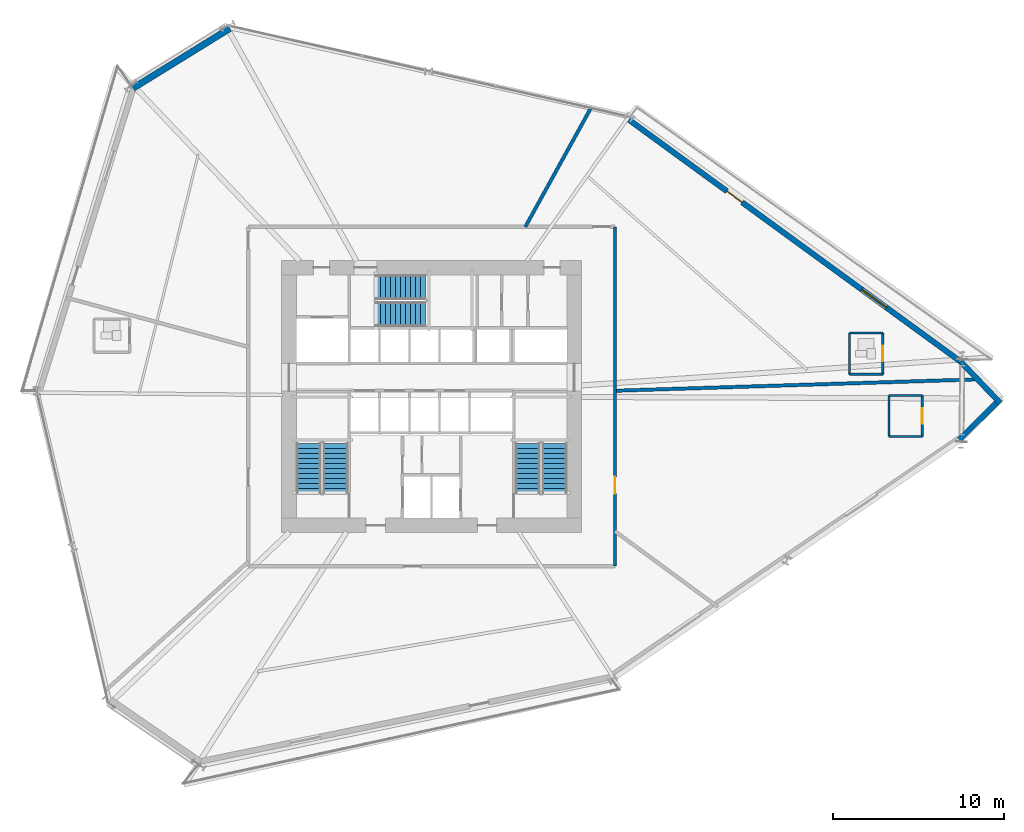
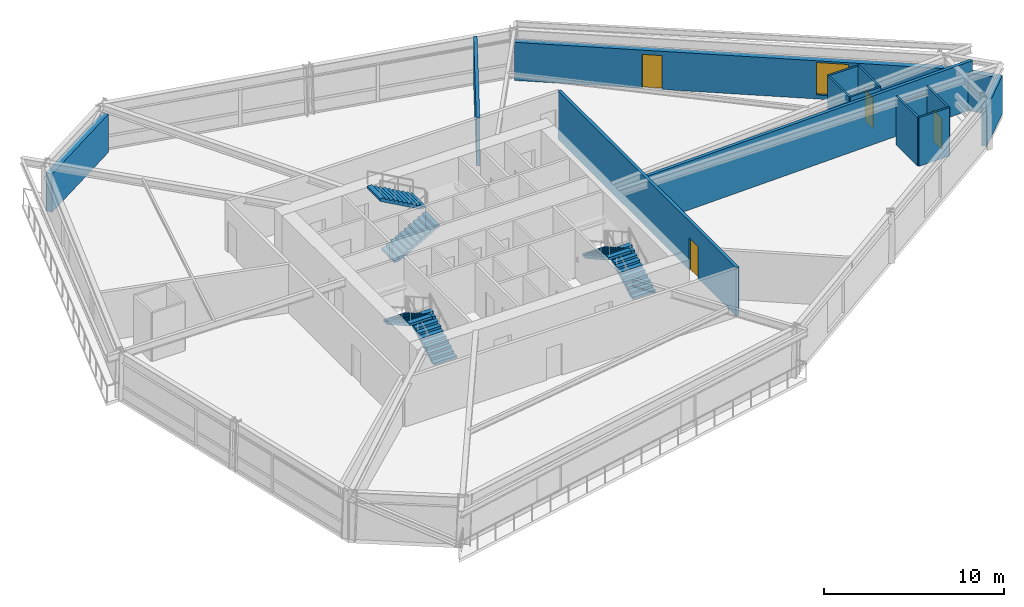
# One storey, part 18 of 23: 15 walls, 6 stair flights, 4 doors, 1 window, 5 openings, 3 elements without a shape of their own.
"""IFC4 building model written with IfcOpenShell, lengths in metres."""

import ifcopenshell
import ifcopenshell.guid

model = None  # the IFC model being written
_history = None  # IfcOwnerHistory: only IFC2X3 demands one
_inside = {}  # id of a spatial element -> (the spatial element, [elements in it])
_under = {}  # id of a project, library or spatial element -> (it, [spatial elements below it])
_declared = {}  # id of a project -> (the project, [libraries it declares])
_typed = {}  # id of a type object -> (the type object, [elements of that type])
_made_of = {}  # id of a material, layer set ... -> (it, [elements and type objects made of it])


def new_model(schema):
    """Start an empty IFC model of exactly this schema.

    Asked for "IFC4X3", IfcOpenShell would pick the latest addendum, in which some entities
    have other attributes; the version numbers below select the first issue.
    IFC2X3 requires an IfcOwnerHistory on every rooted entity: one is made here for all.
    """
    global model, _history
    if schema == "IFC4X3":
        model = ifcopenshell.file(schema_version=(4, 3, 0, 0))
    else:
        model = ifcopenshell.file(schema=schema)
    _inside.clear()
    _under.clear()
    _declared.clear()
    _typed.clear()
    _made_of.clear()
    _history = None
    if model.schema == "IFC2X3":
        org = make("IfcOrganization", Name="unknown")
        user = make(
            "IfcPersonAndOrganization",
            ThePerson=make("IfcPerson", FamilyName="unknown"),
            TheOrganization=org,
        )
        app = make(
            "IfcApplication",
            ApplicationDeveloper=org,
            Version="unknown",
            ApplicationFullName="unknown",
            ApplicationIdentifier="unknown",
        )
        _history = make(
            "IfcOwnerHistory",
            OwningUser=user,
            OwningApplication=app,
            ChangeAction="ADDED",
            CreationDate=0,
        )
    return model


def make(cls, **values):
    """One entity of the class cls with the attributes given. An attribute that is None is left unset."""
    return model.create_entity(
        cls, **{name: value for name, value in values.items() if value is not None}
    )


def rooted(cls, **values):
    """An entity with a GlobalId (a new one), such as an element, a storey or a relation."""
    return make(cls, GlobalId=ifcopenshell.guid.new(), OwnerHistory=_history, **values)


def si_unit(unit_type, name, prefix=None):
    """IfcSIUnit, for example si_unit("LENGTHUNIT", "METRE", prefix="MILLI")."""
    return make("IfcSIUnit", UnitType=unit_type, Prefix=prefix, Name=name)


def assignment(units):
    """IfcUnitAssignment: the units of a project."""
    return None if units is None else make("IfcUnitAssignment", Units=units)


def point(xyz):
    """IfcCartesianPoint."""
    return None if xyz is None else make("IfcCartesianPoint", Coordinates=xyz)


def direction(xyz):
    """IfcDirection."""
    return None if xyz is None else make("IfcDirection", DirectionRatios=xyz)


def frame(location, z_axis=None, x_axis=None):
    """IfcAxis2Placement3D, a coordinate frame: its origin and axes. An axis left out is left unset."""
    return make(
        "IfcAxis2Placement3D",
        Location=point(location),
        Axis=direction(z_axis),
        RefDirection=direction(x_axis),
    )


def frame_2d(location, x_axis=None):
    """IfcAxis2Placement2D, a coordinate frame in the plane: its origin and x axis."""
    return make(
        "IfcAxis2Placement2D", Location=point(location), RefDirection=direction(x_axis)
    )


def origin():
    """The frame at (0, 0, 0) with its axes left unset."""
    return frame((0.0, 0.0, 0.0))


def place(relative_to, where):
    """IfcLocalPlacement: puts the frame where relative to a parent placement (None: the world)."""
    return make(
        "IfcLocalPlacement", PlacementRelTo=relative_to, RelativePlacement=where
    )


def context(
    kind, dimensions, precision=None, world=None, true_north=None, identifier=None
):
    """IfcGeometricRepresentationContext, for example the 3D "Model" context."""
    return make(
        "IfcGeometricRepresentationContext",
        ContextIdentifier=identifier,
        ContextType=kind,
        CoordinateSpaceDimension=dimensions,
        Precision=precision,
        WorldCoordinateSystem=world,
        TrueNorth=true_north,
    )


def subcontext(parent, identifier, kind, view, scale=None):
    """IfcGeometricRepresentationSubContext, for example "Body" below "Model"."""
    return make(
        "IfcGeometricRepresentationSubContext",
        ContextIdentifier=identifier,
        ContextType=kind,
        ParentContext=parent,
        TargetScale=scale,
        TargetView=view,
    )


def project(units=None, contexts=None):
    """IfcProject with its units and contexts."""
    return rooted(
        "IfcProject",
        Name="project",
        RepresentationContexts=contexts,
        UnitsInContext=assignment(units),
    )


def spatial(cls, under=None, at=None, **own):
    """A site, building, storey or space (cls), placed at a placement, below another one or the project."""
    s = rooted(cls, ObjectPlacement=at, **own)
    if under is not None:
        _under.setdefault(under.id(), (under, []))[1].append(s)
    return s


def polyline(points):
    """IfcPolyline through the points."""
    return make("IfcPolyline", Points=[point(p) for p in points])


def profile(cls, at=None, kind="AREA", **sizes):
    """A parametric profile (cls). Its sizes go by their IFC names, for example OverallWidth=200.0."""
    return make(cls, ProfileType=kind, Position=at, **sizes)


def rectangle(**sizes):
    """IfcRectangleProfileDef."""
    return profile("IfcRectangleProfileDef", **sizes)


def outline(outer, holes=None, kind="AREA"):
    """IfcArbitraryClosedProfileDef: a profile drawn as a closed curve; with holes, ...WithVoids."""
    if holes is None:
        return make("IfcArbitraryClosedProfileDef", ProfileType=kind, OuterCurve=outer)
    return make(
        "IfcArbitraryProfileDefWithVoids",
        ProfileType=kind,
        OuterCurve=outer,
        InnerCurves=holes,
    )


def extrude(swept, where, along, depth):
    """IfcExtrudedAreaSolid: the profile swept, set in the frame where, extruded along a direction by depth."""
    return make(
        "IfcExtrudedAreaSolid",
        SweptArea=swept,
        Position=where,
        ExtrudedDirection=direction(along),
        Depth=depth,
    )


def shape(context_of_items, identifier, shape_type, items):
    """IfcShapeRepresentation: the items that make up one representation, for example the "Body"."""
    return make(
        "IfcShapeRepresentation",
        ContextOfItems=context_of_items,
        RepresentationIdentifier=identifier,
        RepresentationType=shape_type,
        Items=items,
    )


def source(mapping_origin, context_of_items, identifier, shape_type, items):
    """IfcRepresentationMap: a shape defined once, which mapped items show again and again."""
    return make(
        "IfcRepresentationMap",
        MappingOrigin=mapping_origin,
        MappedRepresentation=shape(context_of_items, identifier, shape_type, items),
    )


def transform(
    local_origin,
    x_axis=None,
    y_axis=None,
    z_axis=None,
    scale=None,
    scale2=None,
    scale3=None,
    uniform=True,
):
    """IfcCartesianTransformationOperator3D, or its non-uniform kind. x_axis, y_axis, z_axis: its Axis1, 2, 3."""
    if uniform:
        return make(
            "IfcCartesianTransformationOperator3D",
            Axis1=direction(x_axis),
            Axis2=direction(y_axis),
            LocalOrigin=point(local_origin),
            Scale=scale,
            Axis3=direction(z_axis),
        )
    return make(
        "IfcCartesianTransformationOperator3DnonUniform",
        Axis1=direction(x_axis),
        Axis2=direction(y_axis),
        LocalOrigin=point(local_origin),
        Scale=scale,
        Axis3=direction(z_axis),
        Scale2=scale2,
        Scale3=scale3,
    )


def mapped(mapping_source, mapping_target):
    """IfcMappedItem: shows the shape of a source again, moved by a transform."""
    return make(
        "IfcMappedItem", MappingSource=mapping_source, MappingTarget=mapping_target
    )


def material(Name=None, Category=None):
    """IfcMaterial."""
    return make("IfcMaterial", Name=Name, Category=Category)


def layer(
    of_material, thickness, ventilated=None, Name=None, Category=None, Priority=None
):
    """IfcMaterialLayer: one layer of a wall or slab, of a material (None: an air gap)."""
    return make(
        "IfcMaterialLayer",
        Material=of_material,
        LayerThickness=thickness,
        IsVentilated=ventilated,
        Name=Name,
        Category=Category,
        Priority=Priority,
    )


def layer_set(layers, Name=None):
    """IfcMaterialLayerSet."""
    return make("IfcMaterialLayerSet", MaterialLayers=layers, LayerSetName=Name)


def made_of(thing, what):
    """Note that an element or type object is made of a material, layer set ...; save() writes the relation."""
    if what is not None:
        _made_of.setdefault(what.id(), (what, []))[1].append(thing)
    return thing


def type_object(cls, material=None, **own):
    """A type object (cls), such as IfcWallType, which elements share."""
    return made_of(rooted(cls, **own), material)


def type_shapes(of_type, sources):
    """Give a type object the sources (RepresentationMaps) that its elements show as mapped items."""
    of_type.RepresentationMaps = sources


def element(
    cls,
    number,
    at=None,
    inside=None,
    cuts=None,
    type_object=None,
    material=None,
    context=None,
    identifier="Body",
    shape_type=None,
    held_by="IfcProductDefinitionShape",
    body=None,
    shapes=None,
    **own,
):
    """One element of the class cls, such as IfcWall. Its Tag is "e" and its number.

    at: its placement. inside: the storey or other place that contains it. cuts: it is an
    opening in that element (IfcRelVoidsElement). A single representation is given by context,
    identifier, shape_type and body (its items); several are given by shapes. held_by: the class
    of the entity that holds the representations. save() writes the other relations.
    """
    e = rooted(cls, Tag="e%d" % number, ObjectPlacement=at, **own)
    if body is not None:
        shapes = [shape(context, identifier, shape_type, body)]
    if shapes is not None:
        e.Representation = make(held_by, Representations=shapes)
    if inside is not None:
        _inside.setdefault(inside.id(), (inside, []))[1].append(e)
    if cuts is not None:
        rooted(
            "IfcRelVoidsElement", RelatingBuildingElement=cuts, RelatedOpeningElement=e
        )
    if type_object is not None:
        _typed.setdefault(type_object.id(), (type_object, []))[1].append(e)
    return made_of(e, material)


def fill(opening, filler):
    """IfcRelFillsElement: the door or window that sits in an opening."""
    return rooted(
        "IfcRelFillsElement",
        RelatingOpeningElement=opening,
        RelatedBuildingElement=filler,
    )


def aggregate(whole, parts):
    """IfcRelAggregates: a whole, such as a stair, and the parts it consists of."""
    return rooted("IfcRelAggregates", RelatingObject=whole, RelatedObjects=parts)


def save(model, path):
    """Write the relations noted so far, then the file.

    IfcRelAggregates (storeys below a building ...), IfcRelContainedInSpatialStructure (elements
    in a storey), IfcRelDefinesByType, IfcRelAssociatesMaterial and IfcRelDeclares: one each for
    every whole, place, type object, material and project.
    """
    for whole, parts in _under.values():
        aggregate(whole, parts)
    for where, things in _inside.values():
        rooted(
            "IfcRelContainedInSpatialStructure",
            RelatedElements=things,
            RelatingStructure=where,
        )
    for kind, things in _typed.values():
        rooted("IfcRelDefinesByType", RelatedObjects=things, RelatingType=kind)
    for what, things in _made_of.values():
        rooted("IfcRelAssociatesMaterial", RelatedObjects=things, RelatingMaterial=what)
    for by, libraries in _declared.values():
        rooted("IfcRelDeclares", RelatingContext=by, RelatedDefinitions=libraries)
    model.write(path)


model = new_model("IFC4")

# Units and contexts
model_context = context("Model", 3, precision=1e-05, world=origin(), true_north=direction((0.0, 1.0)))
body_context = subcontext(model_context, "Body", "Model", "MODEL_VIEW")
ifc_project = project(units=[si_unit("LENGTHUNIT", "METRE"), si_unit("AREAUNIT", "SQUARE_METRE"), si_unit("VOLUMEUNIT", "CUBIC_METRE"), si_unit("PLANEANGLEUNIT", "RADIAN"), si_unit("MASSUNIT", "GRAM", prefix="KILO")], contexts=[model_context])

# Site, building, storey
site_placement = place(None, origin())
site = spatial("IfcSite", under=ifc_project, at=site_placement, CompositionType="ELEMENT")
building_placement = place(site_placement, origin())
building = spatial("IfcBuilding", under=site, at=building_placement, Name="Olszyna Solenne Hotel", CompositionType="ELEMENT")
storey_placement = place(building_placement, frame((0.0, 0.0, 32.85009765625)))
storey = spatial("IfcBuildingStorey", under=building, at=storey_placement, Name="L07", CompositionType="ELEMENT", Elevation=32.85009765625)

# Wall, openings, door, window
ifc_material_1 = material(Name="Precast concrete C45/55", Category="concrete")
ifc_layer_1 = layer(ifc_material_1, 0.320068359375, Name="Precast concrete C45/55")
ifc_layer_set_1 = layer_set([ifc_layer_1], Name="Precast concrete C45/55")
wall_type_1 = type_object("IfcWallType", Name="WL-EX320", PredefinedType="SOLIDWALL", material=ifc_layer_set_1)
wall_1_placement = place(storey_placement, frame((49.46044921875, 42.78564453125, 0.0), z_axis=(0.0, 0.0, 1.0), x_axis=(0.808105654282, -0.589037563757, 0.0)))
wall_1 = element("IfcWall", 1, at=wall_1_placement, inside=storey, type_object=wall_type_1, Name="Exterior terracotta-precast frame wall WL-EX320 EW-L07-07", PredefinedType="SOLIDWALL", context=body_context, shape_type="SweptSolid", body=[
    extrude(rectangle(XDim=24.031982421875, YDim=0.320068359375, at=frame_2d((12.01611328125, 0.0))), origin(), (0.0, 0.0, 1.0), 2.591796875),
])
opening_1_placement = place(wall_1_placement, frame((7.139892578125, 0.0, 0.0)))
opening_1 = element("IfcOpeningElement", 2, at=opening_1_placement, cuts=wall_1, Name="Opening LDG-L07-1", PredefinedType="OPENING", context=body_context, shape_type="SweptSolid", body=[
    extrude(rectangle(XDim=1.10009765625, YDim=2.300048828125, at=frame_2d((0.550048828125, 1.14990234375))), frame((0.0, 0.169921875, 0.0), z_axis=(0.0, -1.0, 0.0), x_axis=(1.0, 0.0, 0.0)), (0.0, 0.0, 1.0), 0.340087890625),
])
opening_2_placement = place(wall_1_placement, frame((16.884033203125, 0.0, 0.27197265625)))
opening_2 = element("IfcOpeningElement", 3, at=opening_2_placement, cuts=wall_1, Name="Opening WN-L07-028", PredefinedType="OPENING", context=body_context, shape_type="SweptSolid", body=[
    extrude(rectangle(XDim=1.800048828125, YDim=2.199951171875, at=frame_2d((0.89990234375, 1.10009765625))), frame((0.0, 0.169921875, 0.0), z_axis=(0.0, -1.0, 0.0), x_axis=(1.0, 0.0, 0.0)), (0.0, 0.0, 1.0), 0.340087890625),
])
ifc_material_2 = material(Name="Anodised bronze aluminium", Category="aluminium")
door_type_1 = type_object("IfcDoorType", Name="DR-LG1", OperationType="NOTDEFINED", PredefinedType="DOOR", material=ifc_material_2)
shared_shape_1 = source(origin(), body_context, "Body", "SweptSolid", [
    extrude(rectangle(XDim=1.10009765625, YDim=2.300048828125, at=frame_2d((0.550048828125, 1.14990234375))), frame((0.0, 0.02490234375, 0.0), z_axis=(0.0, -1.0, 0.0), x_axis=(1.0, 0.0, 0.0)), (0.0, 0.0, 1.0), 0.050048828125),
])
type_shapes(door_type_1, [shared_shape_1])
door_1_placement = place(opening_1_placement, origin())
door_1 = element("IfcDoor", 4, at=door_1_placement, inside=storey, type_object=door_type_1, Name="Exterior loggia balcony door DR-LG1 LDG-L07-1", OperationType="SINGLE_SWING_LEFT", OverallHeight=2.300048828125, OverallWidth=1.10009765625, PredefinedType="DOOR", context=body_context, shape_type="MappedRepresentation", body=[
    mapped(shared_shape_1, transform((0.0, 0.0, 0.0), x_axis=(1.0, 0.0, 0.0), y_axis=(0.0, 1.0, 0.0), z_axis=(0.0, 0.0, 1.0), scale=1.0)),
])
fill(opening_1, door_1)
ifc_material_3 = material(Name="Low-E triple glazing", Category="glass")
window_type = type_object("IfcWindowType", Name="WN-HT1", PartitioningType="SINGLE_PANEL", PredefinedType="WINDOW", material=ifc_material_3)
shared_shape_2 = source(origin(), body_context, "Body", "SweptSolid", [
    extrude(rectangle(XDim=1.800048828125, YDim=2.199951171875, at=frame_2d((0.89990234375, 1.10009765625))), frame((0.0, 0.030029296875, 0.0), z_axis=(0.0, -1.0, 0.0), x_axis=(1.0, 0.0, 0.0)), (0.0, 0.0, 1.0), 0.06005859375),
])
type_shapes(window_type, [shared_shape_2])
window_placement = place(opening_2_placement, origin())
window = element("IfcWindow", 5, at=window_placement, inside=storey, type_object=window_type, Name="Loggia room window WN-HT1 WN-L07-028", OverallHeight=2.199951171875, OverallWidth=1.800048828125, PartitioningType="SINGLE_PANEL", PredefinedType="WINDOW", context=body_context, shape_type="MappedRepresentation", body=[
    mapped(shared_shape_2, transform((0.0, 0.0, 0.0), x_axis=(1.0, 0.0, 0.0), y_axis=(0.0, 1.0, 0.0), z_axis=(0.0, 0.0, 1.0), scale=1.0)),
])
fill(opening_2, window)

# Walls
for number, where, z_axis, x_axis, name in (
    (6, (68.859375, 28.648681640625, 0.0), (0.0, 0.0, 1.0), (0.691392879512, -0.722478986656, 0.0), "Exterior terracotta-precast frame wall WL-EX320 EW-L07-08"),
    (7, (71.180908203125, 26.4501953125, 0.0), (0.0, 0.0, 1.0), (-0.710012762049, -0.704188808295, 0.0), "Exterior terracotta-precast frame wall WL-EX320 EW-L07-09"),
):
    element("IfcWall", number, at=place(storey_placement, frame(where, z_axis=z_axis, x_axis=x_axis)), inside=storey, type_object=wall_type_1, Name=name, PredefinedType="SOLIDWALL", context=body_context, shape_type="SweptSolid", body=[
        extrude(rectangle(XDim=3.353515625, YDim=0.320068359375, at=frame_2d((1.6767578125, 0.0))), origin(), (0.0, 0.0, 1.0), 2.591796875),
    ])
ifc_material_4 = material(Name="Terracotta cladding on precast concrete C45/55", Category="masonry")
ifc_layer_2 = layer(ifc_material_4, 0.3798828125, Name="Terracotta cladding on precast concrete C45/55")
ifc_layer_set_2 = layer_set([ifc_layer_2], Name="Terracotta cladding on precast concrete C45/55")
wall_type_2 = type_object("IfcWallType", Name="WL-EX380", PredefinedType="SOLIDWALL", material=ifc_layer_set_2)
wall_2_placement = place(storey_placement, frame((20.578369140625, 44.594482421875, 0.0), z_axis=(0.0, 0.0, 1.0), x_axis=(0.850784925856, 0.525514043519, 0.0)))
element("IfcWall", 8, at=wall_2_placement, inside=storey, type_object=wall_type_2, Name="Exterior terracotta-precast frame wall WL-EX380 EW-L07-05", PredefinedType="SOLIDWALL", context=body_context, shape_type="SweptSolid", body=[
    extrude(rectangle(XDim=6.63134765625, YDim=0.3798828125, at=frame_2d((3.315673828125, 0.0))), origin(), (0.0, 0.0, 1.0), 2.591796875),
])

# Wall, opening, door
ifc_material_5 = material(Name="Acoustic gypsum partition", Category="gypsum")
ifc_layer_3 = layer(ifc_material_5, 0.125, Name="Acoustic gypsum partition")
ifc_layer_set_3 = layer_set([ifc_layer_3], Name="Acoustic gypsum partition")
wall_type_3 = type_object("IfcWallType", Name="WL-PT125", PredefinedType="PARTITIONING", material=ifc_layer_set_3)
wall_3_placement = place(storey_placement, frame((64.327880859375, 27.89892578125, 0.0), z_axis=(0.0, 0.0, 1.0), x_axis=(0.0, 1.0, 0.0)))
wall_3 = element("IfcWall", 9, at=wall_3_placement, inside=storey, type_object=wall_type_3, Name="Interior acoustic partition WL-PT125 PW-L07-0405", PredefinedType="PARTITIONING", context=body_context, shape_type="SweptSolid", body=[
    extrude(rectangle(XDim=2.400146484375, YDim=0.125, at=frame_2d((1.2001953125, 0.0))), origin(), (0.0, 0.0, 1.0), 3.2998046875),
])
opening_3_placement = place(wall_3_placement, frame((0.75, 0.0, 0.0)))
opening_3 = element("IfcOpeningElement", 10, at=opening_3_placement, cuts=wall_3, Name="Opening DR-L07-0088", PredefinedType="OPENING", context=body_context, shape_type="SweptSolid", body=[
    extrude(rectangle(XDim=0.89990234375, YDim=2.10009765625, at=frame_2d((0.449951171875, 1.050048828125))), frame((0.0, 0.072509765625, 0.0), z_axis=(0.0, -1.0, 0.0), x_axis=(1.0, 0.0, 0.0)), (0.0, 0.0, 1.0), 0.14501953125),
])
ifc_material_6 = material(Name="Timber hardwood", Category="wood")
door_type_2 = type_object("IfcDoorType", Name="DR-WC1", OperationType="NOTDEFINED", PredefinedType="DOOR", material=ifc_material_6)
shared_shape_3 = source(origin(), body_context, "Body", "SweptSolid", [
    extrude(rectangle(XDim=0.89990234375, YDim=2.10009765625, at=frame_2d((0.449951171875, 1.050048828125))), frame((0.0, 0.02490234375, 0.0), z_axis=(0.0, -1.0, 0.0), x_axis=(1.0, 0.0, 0.0)), (0.0, 0.0, 1.0), 0.050048828125),
])
type_shapes(door_type_2, [shared_shape_3])
door_2_placement = place(opening_3_placement, origin())
door_2 = element("IfcDoor", 11, at=door_2_placement, inside=storey, type_object=door_type_2, Name="En-Suite Bathroom Door DR-L07-0088", OperationType="SINGLE_SWING_RIGHT", OverallHeight=2.10009765625, OverallWidth=0.89990234375, PredefinedType="DOOR", context=body_context, shape_type="MappedRepresentation", body=[
    mapped(shared_shape_3, transform((0.0, 0.0, 0.0), x_axis=(1.0, 0.0, 0.0), y_axis=(0.0, 1.0, 0.0), z_axis=(0.0, 0.0, 1.0), scale=1.0)),
])
fill(opening_3, door_2)

# Walls
wall_4_placement = place(storey_placement, frame((64.327880859375, 30.299072265625, 0.0), z_axis=(0.0, 0.0, 1.0), x_axis=(-1.0, 0.0, 0.0)))
element("IfcWall", 12, at=wall_4_placement, inside=storey, type_object=wall_type_3, Name="Interior acoustic partition WL-PT125 PW-L07-0406", PredefinedType="PARTITIONING", context=body_context, shape_type="SweptSolid", body=[
    extrude(rectangle(XDim=1.949951171875, YDim=0.125, at=frame_2d((0.97509765625, 0.0))), origin(), (0.0, 0.0, 1.0), 3.2998046875),
])
wall_5_placement = place(storey_placement, frame((62.3779296875, 30.299072265625, 0.0), z_axis=(0.0, 0.0, 1.0), x_axis=(0.0, -1.0, 0.0)))
element("IfcWall", 13, at=wall_5_placement, inside=storey, type_object=wall_type_3, Name="Interior acoustic partition WL-PT125 PW-L07-0407", PredefinedType="PARTITIONING", context=body_context, shape_type="SweptSolid", body=[
    extrude(rectangle(XDim=2.400146484375, YDim=0.125, at=frame_2d((1.2001953125, 0.0))), origin(), (0.0, 0.0, 1.0), 3.2998046875),
])
wall_6_placement = place(storey_placement, frame((62.3779296875, 27.89892578125, 0.0), z_axis=(0.0, 0.0, 1.0), x_axis=(1.0, 0.0, 0.0)))
element("IfcWall", 14, at=wall_6_placement, inside=storey, type_object=wall_type_3, Name="Interior acoustic partition WL-PT125 PW-L07-0408", PredefinedType="PARTITIONING", context=body_context, shape_type="SweptSolid", body=[
    extrude(rectangle(XDim=1.949951171875, YDim=0.125, at=frame_2d((0.97509765625, 0.0))), origin(), (0.0, 0.0, 1.0), 3.2998046875),
])

# Wall, opening, door
wall_7_placement = place(storey_placement, frame((66.634033203125, 24.260986328125, 0.0), z_axis=(0.0, 0.0, 1.0), x_axis=(0.0, 1.0, 0.0)))
wall_7 = element("IfcWall", 15, at=wall_7_placement, inside=storey, type_object=wall_type_3, Name="Interior acoustic partition WL-PT125 PW-L07-0413", PredefinedType="PARTITIONING", context=body_context, shape_type="SweptSolid", body=[
    extrude(rectangle(XDim=2.39990234375, YDim=0.125, at=frame_2d((1.199951171875, 0.0))), origin(), (0.0, 0.0, 1.0), 3.2998046875),
])
opening_4_placement = place(wall_7_placement, frame((0.75, 0.0, 0.0)))
opening_4 = element("IfcOpeningElement", 16, at=opening_4_placement, cuts=wall_7, Name="Opening DR-L07-0090", PredefinedType="OPENING", context=body_context, shape_type="SweptSolid", body=[
    extrude(rectangle(XDim=0.89990234375, YDim=2.10009765625, at=frame_2d((0.449951171875, 1.050048828125))), frame((0.0, 0.072509765625, 0.0), z_axis=(0.0, -1.0, 0.0), x_axis=(1.0, 0.0, 0.0)), (0.0, 0.0, 1.0), 0.14501953125),
])
door_3_placement = place(opening_4_placement, origin())
door_3 = element("IfcDoor", 17, at=door_3_placement, inside=storey, type_object=door_type_2, Name="En-Suite Bathroom Door DR-L07-0090", OperationType="SINGLE_SWING_RIGHT", OverallHeight=2.10009765625, OverallWidth=0.89990234375, PredefinedType="DOOR", context=body_context, shape_type="MappedRepresentation", body=[
    mapped(shared_shape_3, transform((0.0, 0.0, 0.0), x_axis=(1.0, 0.0, 0.0), y_axis=(0.0, 1.0, 0.0), z_axis=(0.0, 0.0, 1.0), scale=1.0)),
])
fill(opening_4, door_3)

# Walls
wall_8_placement = place(storey_placement, frame((66.634033203125, 26.660888671875, 0.0), z_axis=(0.0, 0.0, 1.0), x_axis=(-1.0, 0.0, 0.0)))
element("IfcWall", 18, at=wall_8_placement, inside=storey, type_object=wall_type_3, Name="Interior acoustic partition WL-PT125 PW-L07-0414", PredefinedType="PARTITIONING", context=body_context, shape_type="SweptSolid", body=[
    extrude(rectangle(XDim=1.949951171875, YDim=0.125, at=frame_2d((0.97509765625, 0.0))), origin(), (0.0, 0.0, 1.0), 2.794921875),
])
wall_9_placement = place(storey_placement, frame((64.68408203125, 26.660888671875, 0.0), z_axis=(0.0, 0.0, 1.0), x_axis=(0.0, -1.0, 0.0)))
element("IfcWall", 19, at=wall_9_placement, inside=storey, type_object=wall_type_3, Name="Interior acoustic partition WL-PT125 PW-L07-0415", PredefinedType="PARTITIONING", context=body_context, shape_type="SweptSolid", body=[
    extrude(rectangle(XDim=2.39990234375, YDim=0.125, at=frame_2d((1.199951171875, 0.0))), origin(), (0.0, 0.0, 1.0), 3.2998046875),
])
wall_10_placement = place(storey_placement, frame((64.68408203125, 24.260986328125, 0.0), z_axis=(0.0, 0.0, 1.0), x_axis=(1.0, 0.0, 0.0)))
element("IfcWall", 20, at=wall_10_placement, inside=storey, type_object=wall_type_3, Name="Interior acoustic partition WL-PT125 PW-L07-0416", PredefinedType="PARTITIONING", context=body_context, shape_type="SweptSolid", body=[
    extrude(rectangle(XDim=1.949951171875, YDim=0.125, at=frame_2d((0.97509765625, 0.0))), origin(), (0.0, 0.0, 1.0), 3.2998046875),
])
ifc_layer_4 = layer(ifc_material_5, 0.199951171875, Name="Acoustic gypsum partition")
ifc_layer_set_4 = layer_set([ifc_layer_4], Name="Acoustic gypsum partition")
wall_type_4 = type_object("IfcWallType", Name="WL-PT200", PredefinedType="PARTITIONING", material=ifc_layer_set_4)
wall_11_placement = place(storey_placement, frame((48.699951171875, 26.936279296875, 0.0), z_axis=(0.0, 0.0, 1.0), x_axis=(0.999506728067, 0.031405422286, 0.0)))
element("IfcWall", 21, at=wall_11_placement, inside=storey, type_object=wall_type_4, Name="Interior acoustic partition WL-PT200 PW-L07-0400", PredefinedType="PARTITIONING", context=body_context, shape_type="SweptSolid", body=[
    extrude(rectangle(XDim=21.346923828125, YDim=0.199951171875, at=frame_2d((10.67333984375, 0.0))), origin(), (0.0, 0.0, 1.0), 3.2998046875),
])
wall_12_placement = place(storey_placement, frame((43.46630859375, 36.5, 0.0), z_axis=(0.0, 0.0, 1.0), x_axis=(0.483393303681, 0.875403286467, 0.0)))
element("IfcWall", 22, at=wall_12_placement, inside=storey, type_object=wall_type_4, Name="Interior acoustic partition WL-PT200 PW-L07-0401", PredefinedType="PARTITIONING", context=body_context, shape_type="SweptSolid", body=[
    extrude(rectangle(XDim=7.884033203125, YDim=0.199951171875, at=frame_2d((3.94189453125, 0.0))), origin(), (0.0, 0.0, 1.0), 3.2998046875),
])

# Wall, opening, door
wall_13_placement = place(storey_placement, frame((48.699951171875, 16.699951171875, 0.0), z_axis=(0.0, 0.0, 1.0), x_axis=(0.0, 1.0, 0.0)))
wall_13 = element("IfcWall", 23, at=wall_13_placement, inside=storey, type_object=wall_type_4, Name="Interior acoustic partition WL-PT200 PW-L07-0420", PredefinedType="PARTITIONING", context=body_context, shape_type="SweptSolid", body=[
    extrude(rectangle(XDim=19.800048828125, YDim=0.199951171875, at=frame_2d((9.89990234375, 0.0))), origin(), (0.0, 0.0, 1.0), 3.2998046875),
])
opening_5_placement = place(wall_13_placement, frame((4.23095703125, 0.0, 0.0)))
opening_5 = element("IfcOpeningElement", 24, at=opening_5_placement, cuts=wall_13, Name="Opening DR-L07-0095", PredefinedType="OPENING", context=body_context, shape_type="SweptSolid", body=[
    extrude(rectangle(XDim=0.97998046875, YDim=2.14990234375, at=frame_2d((0.489990234375, 1.074951171875))), frame((0.0, 0.10986328125, 0.0), z_axis=(0.0, -1.0, 0.0), x_axis=(1.0, 0.0, 0.0)), (0.0, 0.0, 1.0), 0.219970703125),
])
door_type_3 = type_object("IfcDoorType", Name="DR-RM1", OperationType="NOTDEFINED", PredefinedType="DOOR", material=ifc_material_6)
shared_shape_4 = source(origin(), body_context, "Body", "SweptSolid", [
    extrude(rectangle(XDim=0.97998046875, YDim=2.14990234375, at=frame_2d((0.489990234375, 1.074951171875))), frame((0.0, 0.02490234375, 0.0), z_axis=(0.0, -1.0, 0.0), x_axis=(1.0, 0.0, 0.0)), (0.0, 0.0, 1.0), 0.050048828125),
])
type_shapes(door_type_3, [shared_shape_4])
door_4_placement = place(opening_5_placement, origin())
door_4 = element("IfcDoor", 25, at=door_4_placement, inside=storey, type_object=door_type_3, Name="Executive Reading Salon Entrance Door DR-L07-0095", OperationType="SINGLE_SWING_RIGHT", OverallHeight=2.14990234375, OverallWidth=0.97998046875, PredefinedType="DOOR", context=body_context, shape_type="MappedRepresentation", body=[
    mapped(shared_shape_4, transform((0.0, 0.0, 0.0), x_axis=(1.0, 0.0, 0.0), y_axis=(0.0, 1.0, 0.0), z_axis=(0.0, 0.0, 1.0), scale=1.0)),
])
fill(opening_5, door_4)

# Stair, stair flights
ifc_material_7 = material(Name="Concrete C40/50", Category="concrete")
stair_type = type_object("IfcStairType", Name="STR-C1", PredefinedType="TWO_QUARTER_WINDING_STAIR", material=ifc_material_7)
stair_1_placement = place(storey_placement, origin())
stair_1 = element("IfcStair", 26, at=stair_1_placement, inside=storey, type_object=stair_type, Name="L07 ST1", PredefinedType="TWO_QUARTER_WINDING_STAIR")
stair_flight_type = type_object("IfcStairFlightType", Name="FLT-C1", PredefinedType="STRAIGHT", material=ifc_material_7)
stair_flight_1_placement = place(storey_placement, frame((32.39501953125, 20.949951171875, 0.0), z_axis=(0.0, 0.0, 1.0), x_axis=(0.0, 1.0, 0.0)))
stair_flight_1 = element("IfcStairFlight", 27, at=stair_flight_1_placement, type_object=stair_flight_type, Name="ST1 flight 1", NumberOfRisers=11, NumberOfTreads=10, PredefinedType="STRAIGHT", RiserHeight=0.161363636, TreadLength=0.29, context=body_context, shape_type="SweptSolid", body=[
    extrude(outline(polyline([(0.0, 0.0), (0.0, 0.161376953125), (0.2900390625, 0.161376953125), (0.2900390625, 0.32275390625), (0.580078125, 0.32275390625), (0.580078125, 0.484130859375), (0.8701171875, 0.484130859375), (0.8701171875, 0.6455078125), (1.159912109375, 0.6455078125), (1.159912109375, 0.806884765625), (1.449951171875, 0.806884765625), (1.449951171875, 0.96826171875), (1.739990234375, 0.96826171875), (1.739990234375, 1.129638671875), (2.030029296875, 1.129638671875), (2.030029296875, 1.291015625), (2.320068359375, 1.291015625), (2.320068359375, 1.452392578125), (2.610107421875, 1.452392578125), (2.610107421875, 1.613525390625), (2.89990234375, 1.613525390625), (2.89990234375, 1.77490234375), (2.89990234375, 1.442138671875), (0.308349609375, 0.0), (0.0, 0.0)])), frame((0.0, 0.72509765625, 0.0), z_axis=(0.0, -1.0, 0.0), x_axis=(1.0, 0.0, 0.0)), (0.0, 0.0, 1.0), 1.449951171875),
])
stair_flight_2_placement = place(storey_placement, frame((30.824951171875, 23.85009765625, 1.77490234375), z_axis=(0.0, 0.0, 1.0), x_axis=(0.0, -1.0, 0.0)))
stair_flight_2 = element("IfcStairFlight", 28, at=stair_flight_2_placement, type_object=stair_flight_type, Name="ST1 flight 2", NumberOfRisers=11, NumberOfTreads=10, PredefinedType="STRAIGHT", RiserHeight=0.161363636, TreadLength=0.29, context=body_context, shape_type="SweptSolid", body=[
    extrude(outline(polyline([(0.0, 0.0), (0.0, 0.161376953125), (0.2900390625, 0.161376953125), (0.2900390625, 0.32275390625), (0.580078125, 0.32275390625), (0.580078125, 0.484130859375), (0.8701171875, 0.484130859375), (0.8701171875, 0.6455078125), (1.159912109375, 0.6455078125), (1.159912109375, 0.806884765625), (1.449951171875, 0.806884765625), (1.449951171875, 0.96826171875), (1.739990234375, 0.96826171875), (1.739990234375, 1.129638671875), (2.030029296875, 1.129638671875), (2.030029296875, 1.291015625), (2.320068359375, 1.291015625), (2.320068359375, 1.452392578125), (2.610107421875, 1.452392578125), (2.610107421875, 1.613525390625), (2.89990234375, 1.613525390625), (2.89990234375, 1.77490234375), (2.89990234375, 1.442138671875), (0.308349609375, 0.0), (0.0, 0.0)])), frame((0.0, 0.72509765625, 0.0), z_axis=(0.0, -1.0, 0.0), x_axis=(1.0, 0.0, 0.0)), (0.0, 0.0, 1.0), 1.449951171875),
])
aggregate(stair_1, [stair_flight_1, stair_flight_2])

stair_2_placement = place(storey_placement, origin())
stair_2 = element("IfcStair", 29, at=stair_2_placement, inside=storey, type_object=stair_type, Name="L07 ST2", PredefinedType="TWO_QUARTER_WINDING_STAIR")
stair_flight_3_placement = place(storey_placement, frame((45.175048828125, 20.949951171875, 0.0), z_axis=(0.0, 0.0, 1.0), x_axis=(0.0, 1.0, 0.0)))
stair_flight_3 = element("IfcStairFlight", 30, at=stair_flight_3_placement, type_object=stair_flight_type, Name="ST2 flight 1", NumberOfRisers=11, NumberOfTreads=10, PredefinedType="STRAIGHT", RiserHeight=0.161363636, TreadLength=0.29, context=body_context, shape_type="SweptSolid", body=[
    extrude(outline(polyline([(0.0, 0.0), (0.0, 0.161376953125), (0.2900390625, 0.161376953125), (0.2900390625, 0.32275390625), (0.580078125, 0.32275390625), (0.580078125, 0.484130859375), (0.8701171875, 0.484130859375), (0.8701171875, 0.6455078125), (1.159912109375, 0.6455078125), (1.159912109375, 0.806884765625), (1.449951171875, 0.806884765625), (1.449951171875, 0.96826171875), (1.739990234375, 0.96826171875), (1.739990234375, 1.129638671875), (2.030029296875, 1.129638671875), (2.030029296875, 1.291015625), (2.320068359375, 1.291015625), (2.320068359375, 1.452392578125), (2.610107421875, 1.452392578125), (2.610107421875, 1.613525390625), (2.89990234375, 1.613525390625), (2.89990234375, 1.77490234375), (2.89990234375, 1.442138671875), (0.308349609375, 0.0), (0.0, 0.0)])), frame((0.0, 0.72509765625, 0.0), z_axis=(0.0, -1.0, 0.0), x_axis=(1.0, 0.0, 0.0)), (0.0, 0.0, 1.0), 1.449951171875),
])
stair_flight_4_placement = place(storey_placement, frame((43.60498046875, 23.85009765625, 1.77490234375), z_axis=(0.0, 0.0, 1.0), x_axis=(0.0, -1.0, 0.0)))
stair_flight_4 = element("IfcStairFlight", 31, at=stair_flight_4_placement, type_object=stair_flight_type, Name="ST2 flight 2", NumberOfRisers=11, NumberOfTreads=10, PredefinedType="STRAIGHT", RiserHeight=0.161363636, TreadLength=0.29, context=body_context, shape_type="SweptSolid", body=[
    extrude(outline(polyline([(0.0, 0.0), (0.0, 0.161376953125), (0.2900390625, 0.161376953125), (0.2900390625, 0.32275390625), (0.580078125, 0.32275390625), (0.580078125, 0.484130859375), (0.8701171875, 0.484130859375), (0.8701171875, 0.6455078125), (1.159912109375, 0.6455078125), (1.159912109375, 0.806884765625), (1.449951171875, 0.806884765625), (1.449951171875, 0.96826171875), (1.739990234375, 0.96826171875), (1.739990234375, 1.129638671875), (2.030029296875, 1.129638671875), (2.030029296875, 1.291015625), (2.320068359375, 1.291015625), (2.320068359375, 1.452392578125), (2.610107421875, 1.452392578125), (2.610107421875, 1.613525390625), (2.89990234375, 1.613525390625), (2.89990234375, 1.77490234375), (2.89990234375, 1.442138671875), (0.308349609375, 0.0), (0.0, 0.0)])), frame((0.0, 0.72509765625, 0.0), z_axis=(0.0, -1.0, 0.0), x_axis=(1.0, 0.0, 0.0)), (0.0, 0.0, 1.0), 1.449951171875),
])
aggregate(stair_2, [stair_flight_3, stair_flight_4])

stair_3_placement = place(storey_placement, origin())
stair_3 = element("IfcStair", 32, at=stair_3_placement, inside=storey, type_object=stair_type, Name="L07 ST3", PredefinedType="TWO_QUARTER_WINDING_STAIR")
stair_flight_5_placement = place(storey_placement, frame((34.72998046875, 31.405029296875, 0.0), z_axis=(0.0, 0.0, 1.0), x_axis=(1.0, 0.0, 0.0)))
stair_flight_5 = element("IfcStairFlight", 33, at=stair_flight_5_placement, type_object=stair_flight_type, Name="ST3 flight 1", NumberOfRisers=11, NumberOfTreads=10, PredefinedType="STRAIGHT", RiserHeight=0.161363636, TreadLength=0.29, context=body_context, shape_type="SweptSolid", body=[
    extrude(outline(polyline([(0.0, 0.0), (0.0, 0.161376953125), (0.2900390625, 0.161376953125), (0.2900390625, 0.32275390625), (0.580078125, 0.32275390625), (0.580078125, 0.484130859375), (0.8701171875, 0.484130859375), (0.8701171875, 0.6455078125), (1.159912109375, 0.6455078125), (1.159912109375, 0.806884765625), (1.449951171875, 0.806884765625), (1.449951171875, 0.96826171875), (1.739990234375, 0.96826171875), (1.739990234375, 1.129638671875), (2.030029296875, 1.129638671875), (2.030029296875, 1.291015625), (2.320068359375, 1.291015625), (2.320068359375, 1.452392578125), (2.610107421875, 1.452392578125), (2.610107421875, 1.613525390625), (2.89990234375, 1.613525390625), (2.89990234375, 1.77490234375), (2.89990234375, 1.442138671875), (0.308349609375, 0.0), (0.0, 0.0)])), frame((0.0, 0.72509765625, 0.0), z_axis=(0.0, -1.0, 0.0), x_axis=(1.0, 0.0, 0.0)), (0.0, 0.0, 1.0), 1.449951171875),
])
stair_flight_6_placement = place(storey_placement, frame((37.6298828125, 32.97509765625, 1.77490234375), z_axis=(0.0, 0.0, 1.0), x_axis=(-1.0, 0.0, 0.0)))
stair_flight_6 = element("IfcStairFlight", 34, at=stair_flight_6_placement, type_object=stair_flight_type, Name="ST3 flight 2", NumberOfRisers=11, NumberOfTreads=10, PredefinedType="STRAIGHT", RiserHeight=0.161363636, TreadLength=0.29, context=body_context, shape_type="SweptSolid", body=[
    extrude(outline(polyline([(0.0, 0.0), (0.0, 0.161376953125), (0.2900390625, 0.161376953125), (0.2900390625, 0.32275390625), (0.580078125, 0.32275390625), (0.580078125, 0.484130859375), (0.8701171875, 0.484130859375), (0.8701171875, 0.6455078125), (1.159912109375, 0.6455078125), (1.159912109375, 0.806884765625), (1.449951171875, 0.806884765625), (1.449951171875, 0.96826171875), (1.739990234375, 0.96826171875), (1.739990234375, 1.129638671875), (2.030029296875, 1.129638671875), (2.030029296875, 1.291015625), (2.320068359375, 1.291015625), (2.320068359375, 1.452392578125), (2.610107421875, 1.452392578125), (2.610107421875, 1.613525390625), (2.89990234375, 1.613525390625), (2.89990234375, 1.77490234375), (2.89990234375, 1.442138671875), (0.308349609375, 0.0), (0.0, 0.0)])), frame((0.0, 0.72509765625, 0.0), z_axis=(0.0, -1.0, 0.0), x_axis=(1.0, 0.0, 0.0)), (0.0, 0.0, 1.0), 1.449951171875),
])
aggregate(stair_3, [stair_flight_5, stair_flight_6])

save(model, "model.ifc")
